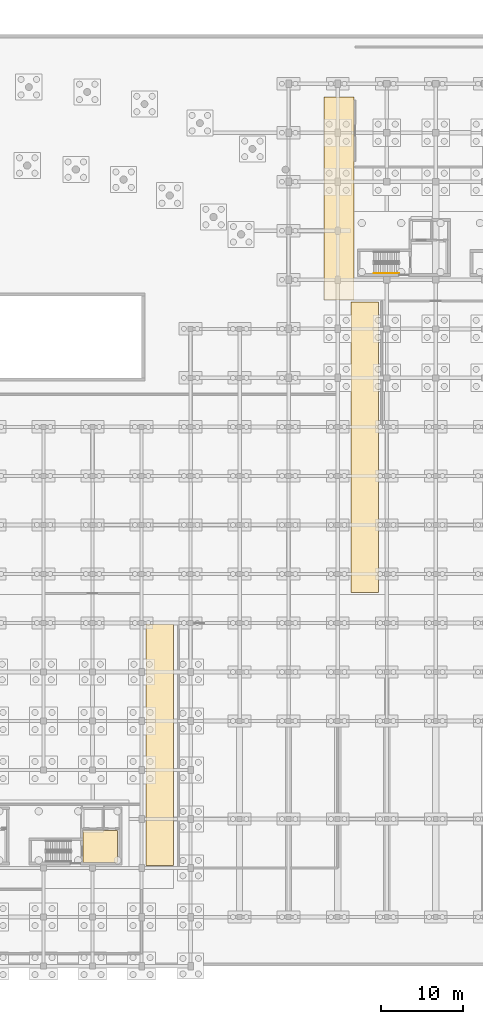
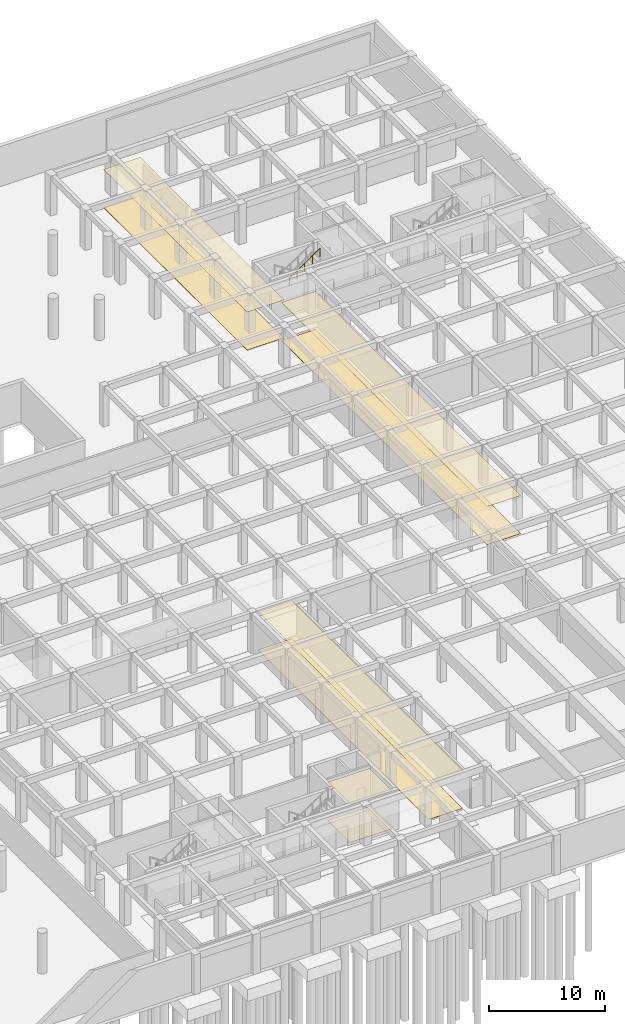
# One storey, part 40 of 41: 8 coverings, 1 railing.
"""IFC4 building model written with IfcOpenShell, lengths in metres."""

import ifcopenshell
import ifcopenshell.guid

model = None  # the IFC model being written
_history = None  # IfcOwnerHistory: only IFC2X3 demands one
_inside = {}  # id of a spatial element -> (the spatial element, [elements in it])
_under = {}  # id of a project, library or spatial element -> (it, [spatial elements below it])
_declared = {}  # id of a project -> (the project, [libraries it declares])
_typed = {}  # id of a type object -> (the type object, [elements of that type])
_made_of = {}  # id of a material, layer set ... -> (it, [elements and type objects made of it])


def new_model(schema):
    """Start an empty IFC model of exactly this schema.

    Asked for "IFC4X3", IfcOpenShell would pick the latest addendum, in which some entities
    have other attributes; the version numbers below select the first issue.
    IFC2X3 requires an IfcOwnerHistory on every rooted entity: one is made here for all.
    """
    global model, _history
    if schema == "IFC4X3":
        model = ifcopenshell.file(schema_version=(4, 3, 0, 0))
    else:
        model = ifcopenshell.file(schema=schema)
    _inside.clear()
    _under.clear()
    _declared.clear()
    _typed.clear()
    _made_of.clear()
    _history = None
    if model.schema == "IFC2X3":
        org = make("IfcOrganization", Name="unknown")
        user = make(
            "IfcPersonAndOrganization",
            ThePerson=make("IfcPerson", FamilyName="unknown"),
            TheOrganization=org,
        )
        app = make(
            "IfcApplication",
            ApplicationDeveloper=org,
            Version="unknown",
            ApplicationFullName="unknown",
            ApplicationIdentifier="unknown",
        )
        _history = make(
            "IfcOwnerHistory",
            OwningUser=user,
            OwningApplication=app,
            ChangeAction="ADDED",
            CreationDate=0,
        )
    return model


def make(cls, **values):
    """One entity of the class cls with the attributes given. An attribute that is None is left unset."""
    return model.create_entity(
        cls, **{name: value for name, value in values.items() if value is not None}
    )


def rooted(cls, **values):
    """An entity with a GlobalId (a new one), such as an element, a storey or a relation."""
    return make(cls, GlobalId=ifcopenshell.guid.new(), OwnerHistory=_history, **values)


def si_unit(unit_type, name, prefix=None):
    """IfcSIUnit, for example si_unit("LENGTHUNIT", "METRE", prefix="MILLI")."""
    return make("IfcSIUnit", UnitType=unit_type, Prefix=prefix, Name=name)


def assignment(units):
    """IfcUnitAssignment: the units of a project."""
    return None if units is None else make("IfcUnitAssignment", Units=units)


def point(xyz):
    """IfcCartesianPoint."""
    return None if xyz is None else make("IfcCartesianPoint", Coordinates=xyz)


def direction(xyz):
    """IfcDirection."""
    return None if xyz is None else make("IfcDirection", DirectionRatios=xyz)


def frame(location, z_axis=None, x_axis=None):
    """IfcAxis2Placement3D, a coordinate frame: its origin and axes. An axis left out is left unset."""
    return make(
        "IfcAxis2Placement3D",
        Location=point(location),
        Axis=direction(z_axis),
        RefDirection=direction(x_axis),
    )


def frame_2d(location, x_axis=None):
    """IfcAxis2Placement2D, a coordinate frame in the plane: its origin and x axis."""
    return make(
        "IfcAxis2Placement2D", Location=point(location), RefDirection=direction(x_axis)
    )


def origin():
    """The frame at (0, 0, 0) with its axes left unset."""
    return frame((0.0, 0.0, 0.0))


def origin_2d():
    """The frame at (0, 0) in the plane with its x axis left unset."""
    return frame_2d((0.0, 0.0))


def place(relative_to, where):
    """IfcLocalPlacement: puts the frame where relative to a parent placement (None: the world)."""
    return make(
        "IfcLocalPlacement", PlacementRelTo=relative_to, RelativePlacement=where
    )


def context(
    kind, dimensions, precision=None, world=None, true_north=None, identifier=None
):
    """IfcGeometricRepresentationContext, for example the 3D "Model" context."""
    return make(
        "IfcGeometricRepresentationContext",
        ContextIdentifier=identifier,
        ContextType=kind,
        CoordinateSpaceDimension=dimensions,
        Precision=precision,
        WorldCoordinateSystem=world,
        TrueNorth=true_north,
    )


def subcontext(parent, identifier, kind, view, scale=None):
    """IfcGeometricRepresentationSubContext, for example "Body" below "Model"."""
    return make(
        "IfcGeometricRepresentationSubContext",
        ContextIdentifier=identifier,
        ContextType=kind,
        ParentContext=parent,
        TargetScale=scale,
        TargetView=view,
    )


def project(units=None, contexts=None):
    """IfcProject with its units and contexts."""
    return rooted(
        "IfcProject",
        Name="project",
        RepresentationContexts=contexts,
        UnitsInContext=assignment(units),
    )


def spatial(cls, under=None, at=None, **own):
    """A site, building, storey or space (cls), placed at a placement, below another one or the project."""
    s = rooted(cls, ObjectPlacement=at, **own)
    if under is not None:
        _under.setdefault(under.id(), (under, []))[1].append(s)
    return s


def polyline(points):
    """IfcPolyline through the points."""
    return make("IfcPolyline", Points=[point(p) for p in points])


def profile(cls, at=None, kind="AREA", **sizes):
    """A parametric profile (cls). Its sizes go by their IFC names, for example OverallWidth=200.0."""
    return make(cls, ProfileType=kind, Position=at, **sizes)


def circle(**sizes):
    """IfcCircleProfileDef."""
    return profile("IfcCircleProfileDef", **sizes)


def outline(outer, holes=None, kind="AREA"):
    """IfcArbitraryClosedProfileDef: a profile drawn as a closed curve; with holes, ...WithVoids."""
    if holes is None:
        return make("IfcArbitraryClosedProfileDef", ProfileType=kind, OuterCurve=outer)
    return make(
        "IfcArbitraryProfileDefWithVoids",
        ProfileType=kind,
        OuterCurve=outer,
        InnerCurves=holes,
    )


def extrude(swept, where, along, depth):
    """IfcExtrudedAreaSolid: the profile swept, set in the frame where, extruded along a direction by depth."""
    return make(
        "IfcExtrudedAreaSolid",
        SweptArea=swept,
        Position=where,
        ExtrudedDirection=direction(along),
        Depth=depth,
    )


def shape(context_of_items, identifier, shape_type, items):
    """IfcShapeRepresentation: the items that make up one representation, for example the "Body"."""
    return make(
        "IfcShapeRepresentation",
        ContextOfItems=context_of_items,
        RepresentationIdentifier=identifier,
        RepresentationType=shape_type,
        Items=items,
    )


def material(Name=None, Category=None):
    """IfcMaterial."""
    return make("IfcMaterial", Name=Name, Category=Category)


def layer(
    of_material, thickness, ventilated=None, Name=None, Category=None, Priority=None
):
    """IfcMaterialLayer: one layer of a wall or slab, of a material (None: an air gap)."""
    return make(
        "IfcMaterialLayer",
        Material=of_material,
        LayerThickness=thickness,
        IsVentilated=ventilated,
        Name=Name,
        Category=Category,
        Priority=Priority,
    )


def layer_set(layers, Name=None):
    """IfcMaterialLayerSet."""
    return make("IfcMaterialLayerSet", MaterialLayers=layers, LayerSetName=Name)


def made_of(thing, what):
    """Note that an element or type object is made of a material, layer set ...; save() writes the relation."""
    if what is not None:
        _made_of.setdefault(what.id(), (what, []))[1].append(thing)
    return thing


def type_object(cls, material=None, **own):
    """A type object (cls), such as IfcWallType, which elements share."""
    return made_of(rooted(cls, **own), material)


def element(
    cls,
    number,
    at=None,
    inside=None,
    cuts=None,
    type_object=None,
    material=None,
    context=None,
    identifier="Body",
    shape_type=None,
    held_by="IfcProductDefinitionShape",
    body=None,
    shapes=None,
    **own,
):
    """One element of the class cls, such as IfcWall. Its Tag is "e" and its number.

    at: its placement. inside: the storey or other place that contains it. cuts: it is an
    opening in that element (IfcRelVoidsElement). A single representation is given by context,
    identifier, shape_type and body (its items); several are given by shapes. held_by: the class
    of the entity that holds the representations. save() writes the other relations.
    """
    e = rooted(cls, Tag="e%d" % number, ObjectPlacement=at, **own)
    if body is not None:
        shapes = [shape(context, identifier, shape_type, body)]
    if shapes is not None:
        e.Representation = make(held_by, Representations=shapes)
    if inside is not None:
        _inside.setdefault(inside.id(), (inside, []))[1].append(e)
    if cuts is not None:
        rooted(
            "IfcRelVoidsElement", RelatingBuildingElement=cuts, RelatedOpeningElement=e
        )
    if type_object is not None:
        _typed.setdefault(type_object.id(), (type_object, []))[1].append(e)
    return made_of(e, material)


def aggregate(whole, parts):
    """IfcRelAggregates: a whole, such as a stair, and the parts it consists of."""
    return rooted("IfcRelAggregates", RelatingObject=whole, RelatedObjects=parts)


def save(model, path):
    """Write the relations noted so far, then the file.

    IfcRelAggregates (storeys below a building ...), IfcRelContainedInSpatialStructure (elements
    in a storey), IfcRelDefinesByType, IfcRelAssociatesMaterial and IfcRelDeclares: one each for
    every whole, place, type object, material and project.
    """
    for whole, parts in _under.values():
        aggregate(whole, parts)
    for where, things in _inside.values():
        rooted(
            "IfcRelContainedInSpatialStructure",
            RelatedElements=things,
            RelatingStructure=where,
        )
    for kind, things in _typed.values():
        rooted("IfcRelDefinesByType", RelatedObjects=things, RelatingType=kind)
    for what, things in _made_of.values():
        rooted("IfcRelAssociatesMaterial", RelatedObjects=things, RelatingMaterial=what)
    for by, libraries in _declared.values():
        rooted("IfcRelDeclares", RelatingContext=by, RelatedDefinitions=libraries)
    model.write(path)


model = new_model("IFC4")

# Units and contexts
model_context = context("Model", 3, precision=1e-05, world=origin(), true_north=direction((0.0, 1.0)))
body_context = subcontext(model_context, "Body", "Model", "MODEL_VIEW")
ifc_project = project(units=[si_unit("LENGTHUNIT", "METRE"), si_unit("AREAUNIT", "SQUARE_METRE"), si_unit("VOLUMEUNIT", "CUBIC_METRE"), si_unit("PLANEANGLEUNIT", "RADIAN"), si_unit("MASSUNIT", "GRAM", prefix="KILO"), si_unit("POWERUNIT", "WATT"), si_unit("THERMODYNAMICTEMPERATUREUNIT", "KELVIN")], contexts=[model_context])

# Site, building, storey
site_placement = place(None, origin())
site = spatial("IfcSite", under=ifc_project, at=site_placement, CompositionType="ELEMENT")
building_placement = place(site_placement, origin())
building = spatial("IfcBuilding", under=site, at=building_placement, Name="Ruvembo Vaulted Housing Court", CompositionType="ELEMENT")
storey_placement = place(building_placement, frame((0.0, 0.0, -4.5)))
storey = spatial("IfcBuildingStorey", under=building, at=storey_placement, Name="B1", CompositionType="ELEMENT", Elevation=-4.5)

# Coverings
ifc_material_1 = material(Name="Perforated Mineral-Fibre Acoustic Tile", Category="gypsum")
ifc_layer_1 = layer(ifc_material_1, 0.02001953125, Name="Perforated Mineral-Fibre Acoustic Tile")
ifc_layer_set_1 = layer_set([ifc_layer_1], Name="Perforated Mineral-Fibre Acoustic Tile")
covering_type_1 = type_object("IfcCoveringType", Name="COV-CEIL-ACOUST", PredefinedType="CEILING", material=ifc_layer_set_1)
covering_1_placement = place(storey_placement, frame((0.0, 0.0, 4.02001953125)))
element("IfcCovering", 1, at=covering_1_placement, inside=storey, type_object=covering_type_1, Name="Protected Core Lobby C2 Ceiling", PredefinedType="CEILING", context=body_context, shape_type="SweptSolid", body=[
    extrude(outline(polyline([(129.050048828125, 16.60009765625), (124.85009765625, 16.60009765625), (124.85009765625, 12.699951171875), (129.050048828125, 12.699951171875), (129.050048828125, 16.60009765625)])), origin(), (0.0, 0.0, 1.0), 0.02001953125),
])
covering_2_placement = place(storey_placement, frame((0.0, 0.0, 4.02001953125)))
element("IfcCovering", 2, at=covering_2_placement, inside=storey, type_object=covering_type_1, Name="Basement South-Central Link Corridor Ceiling", PredefinedType="CEILING", context=body_context, shape_type="SweptSolid", body=[
    extrude(outline(polyline([(132.510009765625, 12.31005859375), (135.889892578125, 12.31005859375), (135.889892578125, 41.889892578125), (132.510009765625, 41.889892578125), (132.510009765625, 12.31005859375)])), origin(), (0.0, 0.0, 1.0), 0.02001953125),
])
covering_3_placement = place(storey_placement, frame((0.0, 0.0, 4.02001953125)))
element("IfcCovering", 3, at=covering_3_placement, inside=storey, type_object=covering_type_1, Name="Basement East Link Corridor Ceiling", PredefinedType="CEILING", context=body_context, shape_type="SweptSolid", body=[
    extrude(outline(polyline([(157.610107421875, 45.7099609375), (160.989990234375, 45.7099609375), (160.989990234375, 81.2900390625), (157.610107421875, 81.2900390625), (157.610107421875, 45.7099609375)])), origin(), (0.0, 0.0, 1.0), 0.02001953125),
])
covering_4_placement = place(storey_placement, frame((0.0, 0.0, 4.02001953125)))
element("IfcCovering", 4, at=covering_4_placement, inside=storey, type_object=covering_type_1, Name="Basement Block D North Plant Passage Ceiling", PredefinedType="CEILING", context=body_context, shape_type="SweptSolid", body=[
    extrude(outline(polyline([(157.989990234375, 81.510009765625), (157.989990234375, 106.389892578125), (154.31005859375, 106.389892578125), (154.31005859375, 81.510009765625), (157.989990234375, 81.510009765625)])), origin(), (0.0, 0.0, 1.0), 0.02001953125),
])
ifc_material_2 = material(Name="Polished Cement-Aggregate Terrazzo", Category="stone")
ifc_layer_2 = layer(ifc_material_2, 0.02197265625, Name="Polished Cement-Aggregate Terrazzo")
ifc_layer_set_2 = layer_set([ifc_layer_2], Name="Polished Cement-Aggregate Terrazzo")
covering_type_2 = type_object("IfcCoveringType", Name="COV-FLR-CERAMIC", PredefinedType="FLOORING", material=ifc_layer_set_2)
covering_5_placement = place(storey_placement, origin())
element("IfcCovering", 5, at=covering_5_placement, inside=storey, type_object=covering_type_2, Name="Protected Core Lobby C2 Flooring", PredefinedType="FLOORING", context=body_context, shape_type="SweptSolid", body=[
    extrude(outline(polyline([(129.050048828125, 16.60009765625), (124.85009765625, 16.60009765625), (124.85009765625, 12.699951171875), (129.050048828125, 12.699951171875), (129.050048828125, 16.60009765625)])), origin(), (0.0, 0.0, 1.0), 0.02197265625),
])
covering_6_placement = place(storey_placement, origin())
element("IfcCovering", 6, at=covering_6_placement, inside=storey, type_object=covering_type_2, Name="Basement South-Central Link Corridor Flooring", PredefinedType="FLOORING", context=body_context, shape_type="SweptSolid", body=[
    extrude(outline(polyline([(132.510009765625, 12.31005859375), (135.889892578125, 12.31005859375), (135.889892578125, 41.889892578125), (132.510009765625, 41.889892578125), (132.510009765625, 12.31005859375)])), origin(), (0.0, 0.0, 1.0), 0.02197265625),
])
covering_7_placement = place(storey_placement, origin())
element("IfcCovering", 7, at=covering_7_placement, inside=storey, type_object=covering_type_2, Name="Basement East Link Corridor Flooring", PredefinedType="FLOORING", context=body_context, shape_type="SweptSolid", body=[
    extrude(outline(polyline([(157.610107421875, 45.7099609375), (160.989990234375, 45.7099609375), (160.989990234375, 81.2900390625), (157.610107421875, 81.2900390625), (157.610107421875, 45.7099609375)])), origin(), (0.0, 0.0, 1.0), 0.02197265625),
])
covering_8_placement = place(storey_placement, origin())
element("IfcCovering", 8, at=covering_8_placement, inside=storey, type_object=covering_type_2, Name="Basement Block D North Plant Passage Flooring", PredefinedType="FLOORING", context=body_context, shape_type="SweptSolid", body=[
    extrude(outline(polyline([(157.989990234375, 81.510009765625), (157.989990234375, 106.389892578125), (154.31005859375, 106.389892578125), (154.31005859375, 81.510009765625), (157.989990234375, 81.510009765625)])), origin(), (0.0, 0.0, 1.0), 0.02197265625),
])

# Railing
ifc_material_3 = material(Name="Brushed Stainless Steel 304", Category="steel")
ifc_layer_3 = layer(ifc_material_3, 0.050048828125, Name="Brushed Stainless Steel 304")
ifc_layer_set_3 = layer_set([ifc_layer_3], Name="Brushed Stainless Steel 304")
railing_type = type_object("IfcRailingType", Name="RL-STAIR-HR920", PredefinedType="HANDRAIL", material=ifc_layer_set_3)
railing_placement = place(storey_placement, frame((160.419921875, 84.800048828125, 2.629150390625)))
element("IfcRailing", 9, at=railing_placement, inside=storey, type_object=railing_type, Name="B1 ST-D1 stair handrail 2", PredefinedType="HANDRAIL", context=body_context, shape_type="SweptSolid", body=[
    extrude(circle(Radius=0.02392578125, at=origin_2d()), frame((0.0, 0.0, 0.8759765625), z_axis=(0.830913701846, 0.0, 0.55640131208), x_axis=(0.0, 1.0, 0.0)), (0.0, 0.0, 1.0), 3.706787109375),
    extrude(circle(Radius=0.02099609375, at=origin_2d()), origin(), (0.0, 0.0, 1.0), 0.851806640625),
    extrude(circle(Radius=0.02099609375, at=origin_2d()), frame((0.77001953125, 0.0, 0.515625)), (0.0, 0.0, 1.0), 0.851806640625),
    extrude(circle(Radius=0.02099609375, at=origin_2d()), frame((1.5400390625, 0.0, 1.03125)), (0.0, 0.0, 1.0), 0.851806640625),
    extrude(circle(Radius=0.02099609375, at=origin_2d()), frame((2.31005859375, 0.0, 1.546875)), (0.0, 0.0, 1.0), 0.851806640625),
    extrude(circle(Radius=0.02099609375, at=origin_2d()), frame((3.080078125, 0.0, 2.0625)), (0.0, 0.0, 1.0), 0.851806640625),
])

save(model, "model.ifc")
